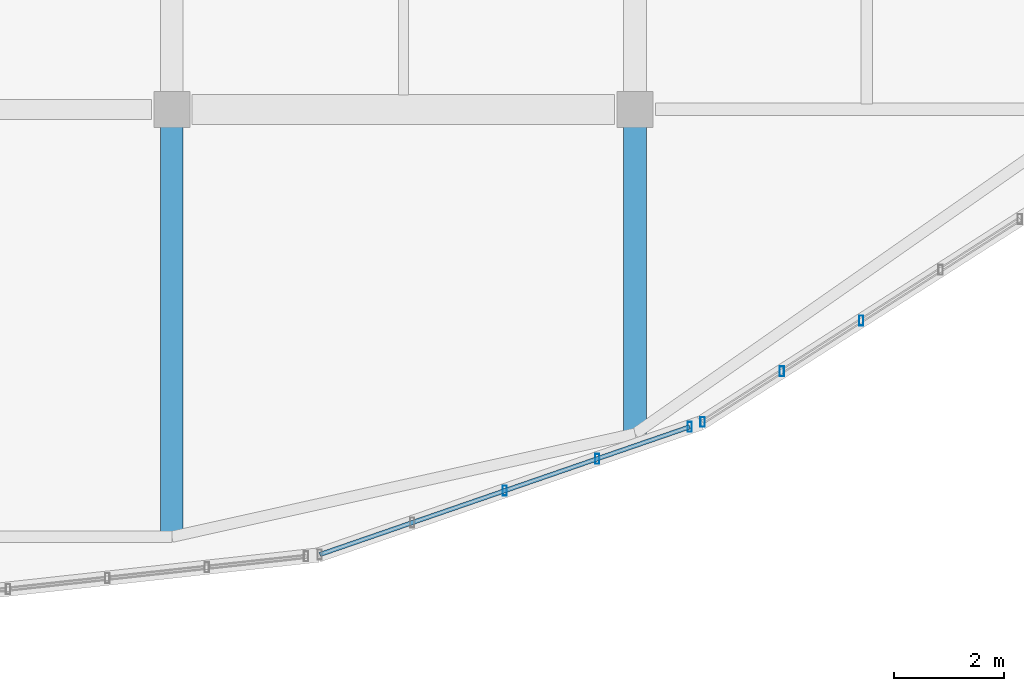
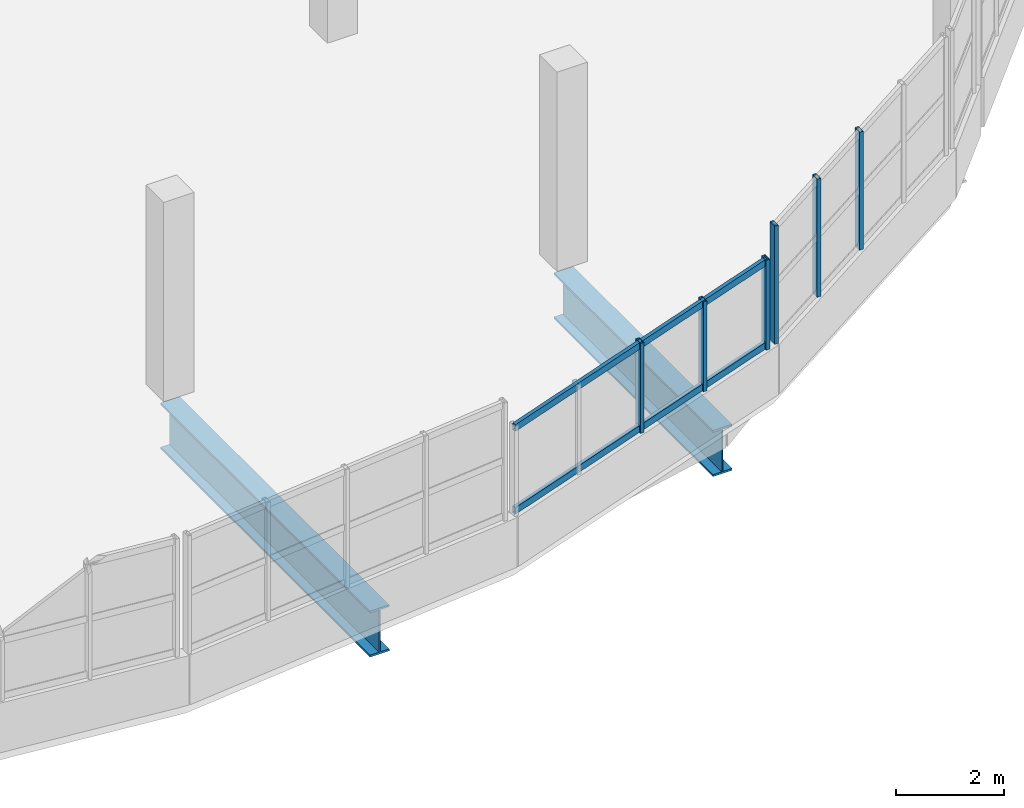
# One storey, part 18 of 50: 8 members, 2 beams, 2 elements without a shape of their own.
"""IFC4 building model written with IfcOpenShell, lengths in metres."""

from ifc_helpers import new_model, si_unit, direction, frame, origin, origin_2d, place, context, subcontext, project, spatial, hollow_rectangle, i_section, extrude, material, material_profile, profile_set, type_object, element, aggregate, save


model = new_model("IFC4")

# Units and contexts
model_context = context("Model", 3, precision=1e-05, world=origin(), true_north=direction((0.0, 1.0)))
body_context = subcontext(model_context, "Body", "Model", "MODEL_VIEW")
ifc_project = project(units=[si_unit("LENGTHUNIT", "METRE"), si_unit("AREAUNIT", "SQUARE_METRE"), si_unit("VOLUMEUNIT", "CUBIC_METRE"), si_unit("PLANEANGLEUNIT", "RADIAN"), si_unit("MASSUNIT", "GRAM", prefix="KILO")], contexts=[model_context])

# Site, building, storey
site_placement = place(None, origin())
site = spatial("IfcSite", under=ifc_project, at=site_placement, CompositionType="ELEMENT")
building_placement = place(site_placement, origin())
building = spatial("IfcBuilding", under=site, at=building_placement, Name="Solvento Point Concert Hall", CompositionType="ELEMENT")
storey_placement = place(building_placement, frame((0.0, 0.0, 15.0)))
storey = spatial("IfcBuildingStorey", under=building, at=storey_placement, Name="L03", CompositionType="ELEMENT", Elevation=15.0)

# Beams
ifc_material_1 = material(Name="Structural Steel ASTM A992 Grade 50", Category="steel")
ifc_material_profile_1 = material_profile(ifc_material_1, i_section(OverallWidth=0.408935546875, OverallDepth=1.041015625, WebThickness=0.031005859375, FlangeThickness=0.04443359375, at=origin_2d()), Name="W40X397")
ifc_profile_set_1 = profile_set([ifc_material_profile_1], Name="Structural Steel ASTM A992 Grade 50")
beam_type = type_object("IfcBeamType", Name="CantileverGirder_W40X397", PredefinedType="USERDEFINED", material=ifc_profile_set_1)
beam_1_placement = place(storey_placement, frame((66.0, 17.0, -0.785400390625), z_axis=(0.0, -1.0, 0.0), x_axis=(1.0, 0.0, 0.0)))
element("IfcBeam", 1, at=beam_1_placement, inside=storey, type_object=beam_type, Name="Radial cantilever girder CG-01 L03", ObjectType="GIRDER", PredefinedType="USERDEFINED", context=body_context, shape_type="SweptSolid", body=[
    extrude(i_section(OverallWidth=0.408935546875, OverallDepth=1.041015625, WebThickness=0.031005859375, FlangeThickness=0.04443359375, at=origin_2d()), origin(), (0.0, 0.0, 1.0), 7.75),
])
beam_2_placement = place(storey_placement, frame((74.39990234375, 17.0, -0.785400390625), z_axis=(0.0, -1.0, 0.0), x_axis=(1.0, 0.0, 0.0)))
element("IfcBeam", 2, at=beam_2_placement, inside=storey, type_object=beam_type, Name="Radial cantilever girder CG-01 L03", ObjectType="GIRDER", PredefinedType="USERDEFINED", context=body_context, shape_type="SweptSolid", body=[
    extrude(i_section(OverallWidth=0.408935546875, OverallDepth=1.041015625, WebThickness=0.031005859375, FlangeThickness=0.04443359375, at=origin_2d()), origin(), (0.0, 0.0, 1.0), 5.880615234375),
])

# Curtain wall, members
ifc_material_2 = material(Name="Anodized Bronze Aluminium", Category="aluminium")
curtain_wall_type = type_object("IfcCurtainWallType", Name="CurtainWall_RingRibbon_L03_04", PredefinedType="USERDEFINED", material=ifc_material_2)
curtain_wall_1_placement = place(storey_placement, origin())
curtain_wall_1 = element("IfcCurtainWall", 3, at=curtain_wall_1_placement, inside=storey, type_object=curtain_wall_type, Name="Unitised curtain wall CW-31 UCW-L03-205", ObjectType="UNITISED CURTAIN WALL", PredefinedType="USERDEFINED")
ifc_material_3 = material(Name="Anodized Bronze Aluminium", Category="aluminium")
ifc_material_profile_2 = material_profile(ifc_material_3, hollow_rectangle(XDim=0.080078125, YDim=0.179931640625, WallThickness=0.00390625, at=origin_2d()), Name="CW-MUL-80X180")
ifc_profile_set_2 = profile_set([ifc_material_profile_2], Name="Anodized Bronze Aluminium")
member_type_1 = type_object("IfcMemberType", Name="Mullion_80x180", PredefinedType="MULLION", material=ifc_profile_set_2)
member_1_placement = place(storey_placement, frame((78.502197265625, 13.171142578125, 1.1201171875), z_axis=(0.0, 0.0, 1.0), x_axis=(1.0, 0.0, 0.0)))
member_1 = element("IfcMember", 4, at=member_1_placement, type_object=member_type_1, Name="Curtain wall mullion ML-01", PredefinedType="MULLION", context=body_context, shape_type="SweptSolid", body=[
    extrude(hollow_rectangle(XDim=0.080078125, YDim=0.179931640625, WallThickness=0.00390625, at=origin_2d()), origin(), (0.0, 0.0, 1.0), 2.66748046875),
])
member_2_placement = place(storey_placement, frame((77.063720703125, 12.25146484375, 1.1201171875), z_axis=(0.0, 0.0, 1.0), x_axis=(1.0, 0.0, 0.0)))
member_2 = element("IfcMember", 5, at=member_2_placement, type_object=member_type_1, Name="Curtain wall mullion ML-01", PredefinedType="MULLION", context=body_context, shape_type="SweptSolid", body=[
    extrude(hollow_rectangle(XDim=0.080078125, YDim=0.179931640625, WallThickness=0.00390625, at=origin_2d()), origin(), (0.0, 0.0, 1.0), 2.66748046875),
])
member_3_placement = place(storey_placement, frame((75.625244140625, 11.33154296875, 1.1201171875), z_axis=(0.0, 0.0, 1.0), x_axis=(1.0, 0.0, 0.0)))
member_3 = element("IfcMember", 6, at=member_3_placement, type_object=member_type_1, Name="Curtain wall mullion ML-01", PredefinedType="MULLION", context=body_context, shape_type="SweptSolid", body=[
    extrude(hollow_rectangle(XDim=0.080078125, YDim=0.179931640625, WallThickness=0.00390625, at=origin_2d()), origin(), (0.0, 0.0, 1.0), 2.66748046875),
])
aggregate(curtain_wall_1, [member_1, member_2, member_3])

curtain_wall_2_placement = place(storey_placement, origin())
curtain_wall_2 = element("IfcCurtainWall", 7, at=curtain_wall_2_placement, inside=storey, type_object=curtain_wall_type, Name="Unitised curtain wall CW-31 UCW-L03-206", ObjectType="UNITISED CURTAIN WALL", PredefinedType="USERDEFINED")
member_4_placement = place(storey_placement, frame((75.39208984375, 11.24365234375, 1.1201171875), z_axis=(0.0, 0.0, 1.0), x_axis=(1.0, 0.0, 0.0)))
member_4 = element("IfcMember", 8, at=member_4_placement, type_object=member_type_1, Name="Curtain wall mullion ML-01", PredefinedType="MULLION", context=body_context, shape_type="SweptSolid", body=[
    extrude(hollow_rectangle(XDim=0.080078125, YDim=0.179931640625, WallThickness=0.00390625, at=origin_2d()), origin(), (0.0, 0.0, 1.0), 2.031982421875),
])
member_5_placement = place(storey_placement, frame((73.714599609375, 10.66455078125, 1.1201171875), z_axis=(0.0, 0.0, 1.0), x_axis=(1.0, 0.0, 0.0)))
member_5 = element("IfcMember", 9, at=member_5_placement, type_object=member_type_1, Name="Curtain wall mullion ML-01", PredefinedType="MULLION", context=body_context, shape_type="SweptSolid", body=[
    extrude(hollow_rectangle(XDim=0.080078125, YDim=0.179931640625, WallThickness=0.00390625, at=origin_2d()), origin(), (0.0, 0.0, 1.0), 2.031982421875),
])
member_6_placement = place(storey_placement, frame((72.037109375, 10.085693359375, 1.1201171875), z_axis=(0.0, 0.0, 1.0), x_axis=(1.0, 0.0, 0.0)))
member_6 = element("IfcMember", 10, at=member_6_placement, type_object=member_type_1, Name="Curtain wall mullion ML-01", PredefinedType="MULLION", context=body_context, shape_type="SweptSolid", body=[
    extrude(hollow_rectangle(XDim=0.080078125, YDim=0.179931640625, WallThickness=0.00390625, at=origin_2d()), origin(), (0.0, 0.0, 1.0), 2.031982421875),
])
ifc_material_4 = material(Name="Anodized Bronze Aluminium", Category="aluminium")
ifc_material_profile_3 = material_profile(ifc_material_4, hollow_rectangle(XDim=0.080078125, YDim=0.14990234375, WallThickness=0.00390625, at=origin_2d()), Name="CW-TRN-80X150")
ifc_profile_set_3 = profile_set([ifc_material_profile_3], Name="Anodized Bronze Aluminium")
member_type_2 = type_object("IfcMemberType", Name="Transom_80x150", PredefinedType="USERDEFINED", material=ifc_profile_set_3)
member_7_placement = place(storey_placement, frame((75.39208984375, 11.24365234375, 1.199951171875), z_axis=(-0.94526583595, -0.326301240245, 0.0), x_axis=(0.326301240245, -0.94526583595, 0.0)))
member_7 = element("IfcMember", 11, at=member_7_placement, type_object=member_type_2, Name="Curtain wall transom TR-01", ObjectType="TRANSOM", PredefinedType="USERDEFINED", context=body_context, shape_type="SweptSolid", body=[
    extrude(hollow_rectangle(XDim=0.080078125, YDim=0.14990234375, WallThickness=0.00390625, at=origin_2d()), origin(), (0.0, 0.0, 1.0), 7.09814453125),
])
member_8_placement = place(storey_placement, frame((75.39208984375, 11.24365234375, 3.072021484375), z_axis=(-0.94526583595, -0.326301240245, 0.0), x_axis=(0.326301240245, -0.94526583595, 0.0)))
member_8 = element("IfcMember", 12, at=member_8_placement, type_object=member_type_2, Name="Curtain wall transom TR-01", ObjectType="TRANSOM", PredefinedType="USERDEFINED", context=body_context, shape_type="SweptSolid", body=[
    extrude(hollow_rectangle(XDim=0.080078125, YDim=0.14990234375, WallThickness=0.00390625, at=origin_2d()), origin(), (0.0, 0.0, 1.0), 7.09814453125),
])
aggregate(curtain_wall_2, [member_4, member_5, member_6, member_7, member_8])

save(model, "model.ifc")
